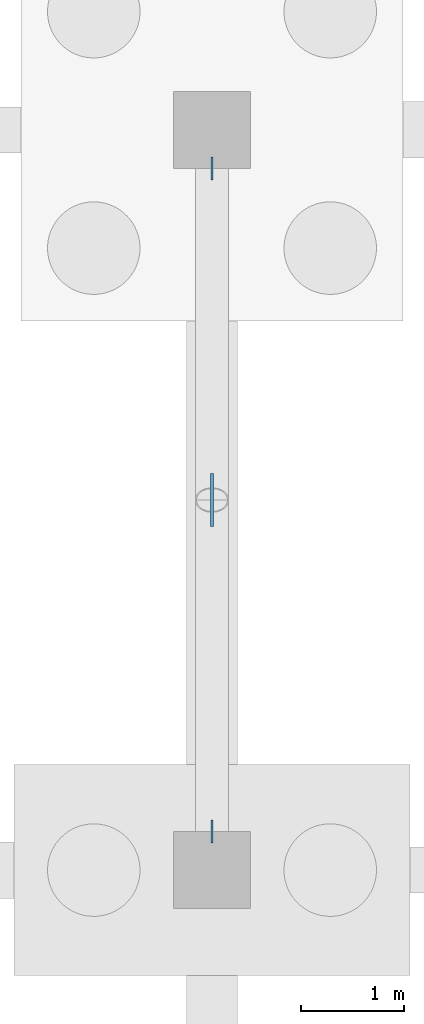
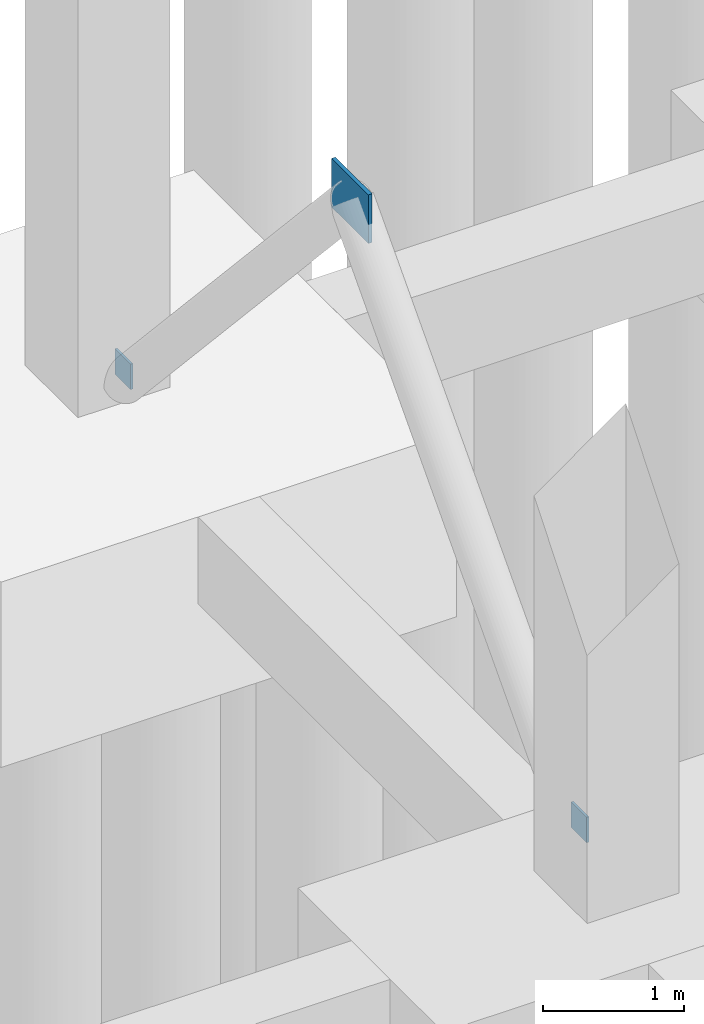
# One storey, part 24 of 36: 3 plates.
"""IFC4 building model written with IfcOpenShell, lengths in metres."""

from ifc_helpers import new_model, si_unit, direction, frame, origin, origin_2d, place, context, subcontext, project, spatial, rectangle, extrude, material, layer, layer_set, type_object, element, save


model = new_model("IFC4")

# Units and contexts
model_context = context("Model", 3, precision=1e-05, world=origin(), true_north=direction((0.0, 1.0)))
body_context = subcontext(model_context, "Body", "Model", "MODEL_VIEW")
ifc_project = project(units=[si_unit("LENGTHUNIT", "METRE"), si_unit("AREAUNIT", "SQUARE_METRE"), si_unit("VOLUMEUNIT", "CUBIC_METRE"), si_unit("PLANEANGLEUNIT", "RADIAN"), si_unit("MASSUNIT", "GRAM", prefix="KILO")], contexts=[model_context])

# Site, building, storey
site_placement = place(None, origin())
site = spatial("IfcSite", under=ifc_project, at=site_placement, CompositionType="ELEMENT")
building_placement = place(site_placement, origin())
building = spatial("IfcBuilding", under=site, at=building_placement, Name="Kalmorath City Hall", CompositionType="ELEMENT")
storey_placement = place(building_placement, frame((0.0, 0.0, -4.5)))
storey = spatial("IfcBuildingStorey", under=building, at=storey_placement, Name="B1", CompositionType="ELEMENT", Elevation=-4.5)

# Plates
ifc_material_1 = material(Name="Steel ASTM A572 Grade 50", Category="steel")
ifc_layer_1 = layer(ifc_material_1, 0.02001953125)
ifc_layer_set_1 = layer_set([ifc_layer_1], Name="Steel ASTM A572 Grade 50")
plate_type_1 = type_object("IfcPlateType", Name="Steel HSS end-cap plate 220x220x20", PredefinedType="SHEET", material=ifc_layer_set_1)
for number, where, z_axis, x_axis, name in (
    (1, (64.800048828125, 101.175048828125, 0.18017578125), (0.0, 0.0, 1.0), (0.0, 1.0, 0.0), "B1 brace foot end-plate GP5-23L"),
    (2, (64.800048828125, 107.625, 0.18017578125), (0.0, 0.0, 1.0), (0.0, 1.0, 0.0), "B1 brace foot end-plate GP5-23R"),
):
    element("IfcPlate", number, at=place(storey_placement, frame(where, z_axis=z_axis, x_axis=x_axis)), inside=storey, type_object=plate_type_1, Name=name, PredefinedType="SHEET", context=body_context, shape_type="SweptSolid", body=[
        extrude(rectangle(XDim=0.219970703125, YDim=0.02001953125, at=origin_2d()), origin(), (0.0, 0.0, 1.0), 0.219970703125),
    ])
ifc_material_2 = material(Name="Steel ASTM A572 Grade 50", Category="steel")
ifc_layer_2 = layer(ifc_material_2, 0.031982421875)
ifc_layer_set_2 = layer_set([ifc_layer_2], Name="Steel ASTM A572 Grade 50")
plate_type_2 = type_object("IfcPlateType", Name="Steel brace gusset plate 520x420x32", PredefinedType="USERDEFINED", material=ifc_layer_set_2)
plate_placement = place(storey_placement, frame((64.800048828125, 104.39990234375, 3.489990234375), z_axis=(0.0, 0.0, 1.0), x_axis=(0.0, 1.0, 0.0)))
element("IfcPlate", 3, at=plate_placement, inside=storey, type_object=plate_type_2, Name="B1 brace gusset plate GP2-23", ObjectType="GUSSET PLATE", PredefinedType="USERDEFINED", context=body_context, shape_type="SweptSolid", body=[
    extrude(rectangle(XDim=0.52001953125, YDim=0.031982421875, at=origin_2d()), origin(), (0.0, 0.0, 1.0), 0.419921875),
])

save(model, "model.ifc")
